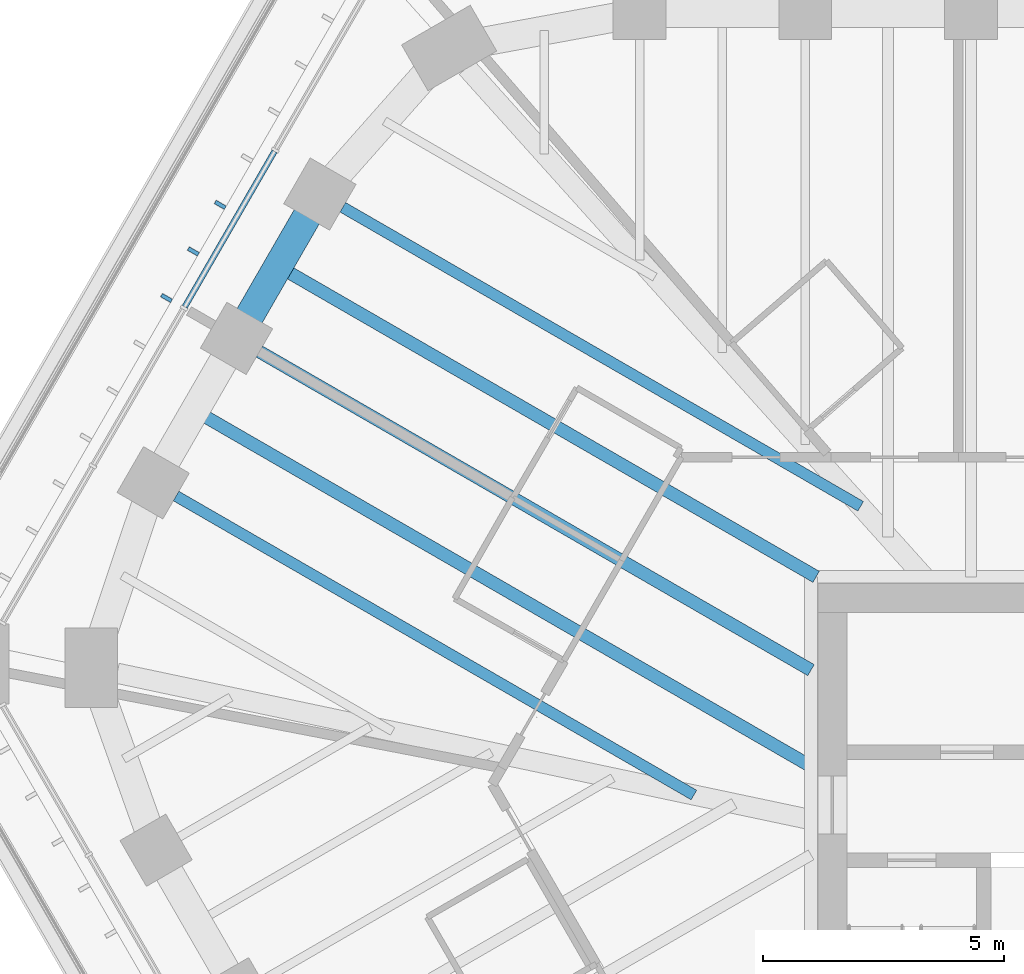
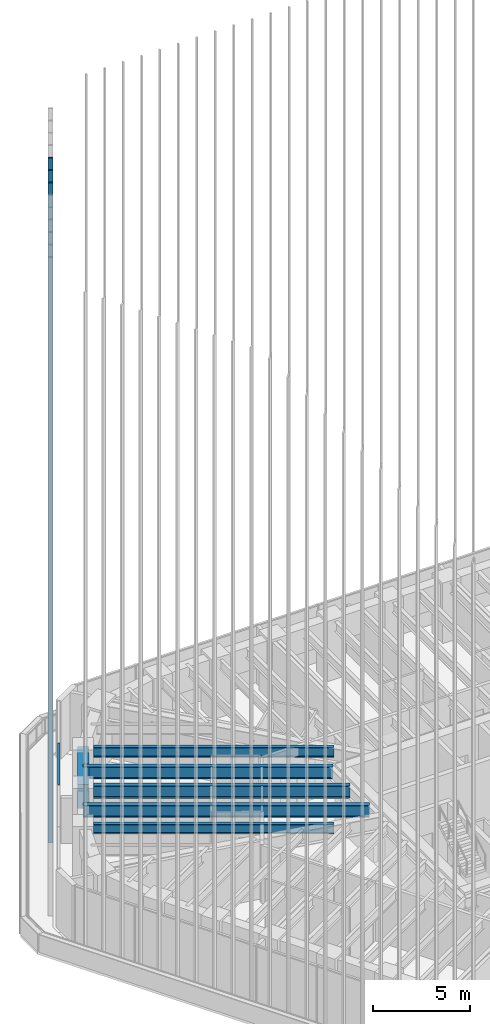
# One storey, part 60 of 127: 6 beams, 4 members, 1 element without a shape of its own.
"""IFC4 building model written with IfcOpenShell, lengths in metres."""

from ifc_helpers import new_model, si_unit, direction, frame, origin, origin_2d, place, context, subcontext, project, spatial, rectangle, i_section, extrude, material, material_profile, profile_set, type_object, element, aggregate, save


model = new_model("IFC4")

# Units and contexts
model_context = context("Model", 3, precision=1e-05, world=origin(), true_north=direction((0.0, 1.0)))
body_context = subcontext(model_context, "Body", "Model", "MODEL_VIEW")
ifc_project = project(units=[si_unit("LENGTHUNIT", "METRE"), si_unit("AREAUNIT", "SQUARE_METRE"), si_unit("VOLUMEUNIT", "CUBIC_METRE"), si_unit("PLANEANGLEUNIT", "RADIAN"), si_unit("MASSUNIT", "GRAM", prefix="KILO")], contexts=[model_context])

# Site, building, storey
site_placement = place(None, origin())
site = spatial("IfcSite", under=ifc_project, at=site_placement, CompositionType="ELEMENT")
building_placement = place(site_placement, origin())
building = spatial("IfcBuilding", under=site, at=building_placement, Name="Sandreach Pilgrim Tower", CompositionType="ELEMENT")
storey_placement = place(building_placement, frame((0.0, 0.0, 257.0)))
storey = spatial("IfcBuildingStorey", under=building, at=storey_placement, Name="L64", CompositionType="ELEMENT", Elevation=257.0)

# Curtain wall, member
ifc_material_1 = material(Name="Aluminium framed curtain wall", Category="aluminium")
curtain_wall_type = type_object("IfcCurtainWallType", Name="Suite tower curtain wall", PredefinedType="NOTDEFINED", material=ifc_material_1)
curtain_wall_placement = place(storey_placement, origin())
curtain_wall = element("IfcCurtainWall", 1, at=curtain_wall_placement, inside=storey, type_object=curtain_wall_type, Name="CW-4 L64 NW", PredefinedType="NOTDEFINED")
ifc_material_2 = material(Name="Aluminium extrusion", Category="aluminium")
ifc_material_profile_1 = material_profile(ifc_material_2, rectangle(XDim=0.1201171875, YDim=0.070068359375, at=origin_2d()), Name="CW-4T 120X70")
ifc_profile_set_1 = profile_set([ifc_material_profile_1], Name="Aluminium extrusion")
member_type_1 = type_object("IfcMemberType", Name="CW-4 transom", PredefinedType="USERDEFINED", material=ifc_profile_set_1)
member_1_placement = place(storey_placement, frame((-21.5126953125, 12.455078125, 3.60498046875), z_axis=(0.500030151002, 0.866007995396, 0.0), x_axis=(-0.866007995396, 0.500030151002, 0.0)))
member_1 = element("IfcMember", 2, at=member_1_placement, type_object=member_type_1, Name="CW-4 head transom 3", ObjectType="TRANSOM", PredefinedType="USERDEFINED", context=body_context, shape_type="SweptSolid", body=[
    extrude(rectangle(XDim=0.1201171875, YDim=0.070068359375, at=origin_2d()), origin(), (0.0, 0.0, 1.0), 3.731689453125),
])

# Beams
ifc_material_3 = material(Name="Steel ASTM A992 Grade 50", Category="steel")
ifc_material_profile_2 = material_profile(ifc_material_3, i_section(OverallWidth=0.23046875, OverallDepth=0.6171875, WebThickness=0.01318359375, FlangeThickness=0.022216796875, at=origin_2d()), Name="W24X94")
ifc_profile_set_2 = profile_set([ifc_material_profile_2], Name="Steel ASTM A992 Grade 50")
beam_type_1 = type_object("IfcBeamType", Name="Floor beam W24X94", PredefinedType="BEAM", material=ifc_profile_set_2)
for number, where, z_axis, x_axis, name in (
    (3, (-21.69287109375, 8.522705078125, 3.331298828125), (0.866028931402, -0.499993889937, 0.0), (0.499993889937, 0.866028931402, 0.0), "BM L64 F36"),
    (4, (-18.227294921875, 14.525390625, 3.331298828125), (0.866020427415, -0.500008619226, 0.0), (0.500008619226, 0.866020427415, 0.0), "BM L64 F38"),
):
    element("IfcBeam", number, at=place(storey_placement, frame(where, z_axis=z_axis, x_axis=x_axis)), inside=storey, type_object=beam_type_1, Name=name, PredefinedType="BEAM", context=body_context, shape_type="SweptSolid", body=[
        extrude(i_section(OverallWidth=0.23046875, OverallDepth=0.6171875, WebThickness=0.01318359375, FlangeThickness=0.022216796875, at=origin_2d()), origin(), (0.0, 0.0, 1.0), 12.431396484375),
    ])
ifc_material_4 = material(Name="Steel ASTM A992 Grade 50", Category="steel")
ifc_material_profile_3 = material_profile(ifc_material_4, i_section(OverallWidth=0.2666015625, OverallDepth=0.761962890625, WebThickness=0.014404296875, FlangeThickness=0.021484375, at=origin_2d()), Name="W30X116")
ifc_profile_set_3 = profile_set([ifc_material_profile_3], Name="Steel ASTM A992 Grade 50")
beam_type_2 = type_object("IfcBeamType", Name="Floor beam W30X116", PredefinedType="BEAM", material=ifc_profile_set_3)
beam_1_placement = place(storey_placement, frame((-19.960205078125, 11.52392578125, 3.259033203125), z_axis=(0.86602530353, -0.500000173646, 0.0), x_axis=(0.500000173646, 0.86602530353, 0.0)))
element("IfcBeam", 5, at=beam_1_placement, inside=storey, type_object=beam_type_2, Name="BM L64 F37", PredefinedType="BEAM", context=body_context, shape_type="SweptSolid", body=[
    extrude(i_section(OverallWidth=0.2666015625, OverallDepth=0.761962890625, WebThickness=0.014404296875, FlangeThickness=0.021484375, at=origin_2d()), origin(), (0.0, 0.0, 1.0), 13.24072265625),
])
beam_2_placement = place(storey_placement, frame((-21.302978515625, 10.29833984375, 3.259033203125), z_axis=(0.866028362181, -0.499994875871, 0.0), x_axis=(0.499994875871, 0.866028362181, 0.0)))
element("IfcBeam", 6, at=beam_2_placement, inside=storey, type_object=beam_type_2, Name="BM L64 FM36", PredefinedType="BEAM", context=body_context, shape_type="SweptSolid", body=[
    extrude(i_section(OverallWidth=0.2666015625, OverallDepth=0.761962890625, WebThickness=0.014404296875, FlangeThickness=0.021484375, at=origin_2d()), origin(), (0.0, 0.0, 1.0), 14.791259765625),
])
beam_3_placement = place(storey_placement, frame((-19.570068359375, 13.299560546875, 3.259033203125), z_axis=(0.866025008595, -0.500000684488, 0.0), x_axis=(0.500000684488, 0.866025008595, 0.0)))
element("IfcBeam", 7, at=beam_3_placement, inside=storey, type_object=beam_type_2, Name="BM L64 FM37", PredefinedType="BEAM", context=body_context, shape_type="SweptSolid", body=[
    extrude(i_section(OverallWidth=0.2666015625, OverallDepth=0.761962890625, WebThickness=0.014404296875, FlangeThickness=0.021484375, at=origin_2d()), origin(), (0.0, 0.0, 1.0), 12.91259765625),
])
ifc_material_5 = material(Name="Concrete 10000 psi", Category="concrete")
ifc_material_profile_4 = material_profile(ifc_material_5, rectangle(XDim=0.60009765625, YDim=1.5, at=origin_2d()), Name="RC600X1500")
ifc_profile_set_4 = profile_set([ifc_material_profile_4], Name="Concrete 10000 psi")
beam_type_3 = type_object("IfcBeamType", Name="Spandrel beam RC600X1500", PredefinedType="SPANDREL", material=ifc_profile_set_4)
beam_4_placement = place(storey_placement, frame((-20.4365234375, 11.799072265625, 2.889892578125), z_axis=(0.500033451825, 0.866006089503, 0.0), x_axis=(-0.866006089503, 0.500033451825, 0.0)))
element("IfcBeam", 8, at=beam_4_placement, inside=storey, type_object=beam_type_3, Name="BM L64 SP37", PredefinedType="SPANDREL", context=body_context, shape_type="SweptSolid", body=[
    extrude(rectangle(XDim=0.60009765625, YDim=1.5, at=origin_2d()), origin(), (0.0, 0.0, 1.0), 3.465576171875),
])

# Member
ifc_material_6 = material(Name="Extruded terracotta on aluminium core", Category="masonry")
ifc_material_profile_5 = material_profile(ifc_material_6, rectangle(XDim=0.080078125, YDim=0.239990234375, at=origin_2d()), Name="TBW 80X240")
ifc_profile_set_5 = profile_set([ifc_material_profile_5], Name="Extruded terracotta on aluminium core")
member_type_2 = type_object("IfcMemberType", Name="Terracotta baguette west", PredefinedType="USERDEFINED", material=ifc_profile_set_5)
member_2_placement = place(storey_placement, frame((-21.891357421875, 12.638916015625, 0.0), z_axis=(0.0, 0.0, 1.0), x_axis=(0.5, 0.866025403784, 0.0)))
member_2 = element("IfcMember", 9, at=member_2_placement, type_object=member_type_2, Name="Baguette Z4 NW07", ObjectType="BAGUETTE", PredefinedType="USERDEFINED", context=body_context, shape_type="SweptSolid", body=[
    extrude(rectangle(XDim=0.080078125, YDim=0.239990234375, at=origin_2d()), origin(), (0.0, 0.0, 1.0), 41.639892578125),
])

member_3_placement = place(storey_placement, frame((-21.33251953125, 13.607177734375, 0.0), z_axis=(0.0, 0.0, 1.0), x_axis=(0.5, 0.866025403784, 0.0)))
member_3 = element("IfcMember", 10, at=member_3_placement, type_object=member_type_2, Name="Baguette Z4 NW08", ObjectType="BAGUETTE", PredefinedType="USERDEFINED", context=body_context, shape_type="SweptSolid", body=[
    extrude(rectangle(XDim=0.080078125, YDim=0.239990234375, at=origin_2d()), origin(), (0.0, 0.0, 1.0), 41.639892578125),
])

member_4_placement = place(storey_placement, frame((-20.7734375, 14.575439453125, 0.0), z_axis=(0.0, 0.0, 1.0), x_axis=(0.5, 0.866025403784, 0.0)))
member_4 = element("IfcMember", 11, at=member_4_placement, type_object=member_type_2, Name="Baguette Z4 NW09", ObjectType="BAGUETTE", PredefinedType="USERDEFINED", context=body_context, shape_type="SweptSolid", body=[
    extrude(rectangle(XDim=0.080078125, YDim=0.239990234375, at=origin_2d()), origin(), (0.0, 0.0, 1.0), 41.639892578125),
])

aggregate(curtain_wall, [member_1, member_2, member_3, member_4])

save(model, "model.ifc")
